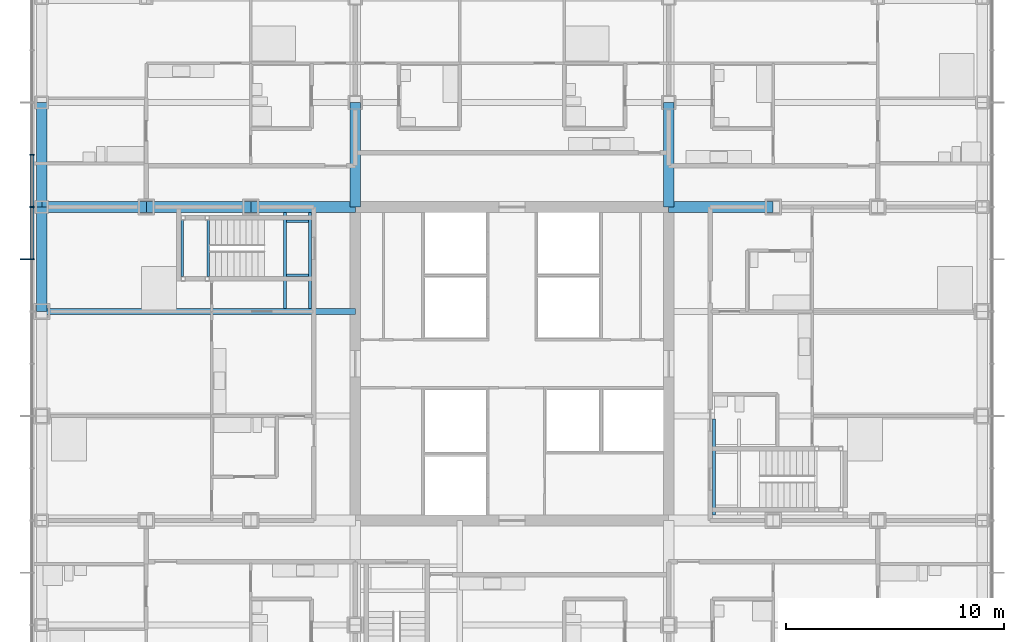
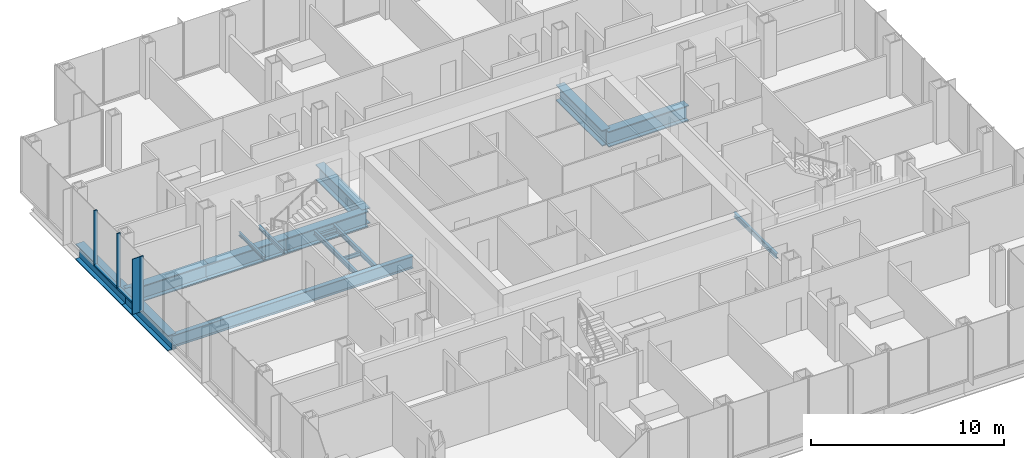
# One storey, part 8 of 21: 16 beams, 6 members, 1 element without a shape of its own.
"""IFC4 building model written with IfcOpenShell, lengths in metres."""

from ifc_helpers import new_model, si_unit, direction, frame, origin, origin_2d, place, context, subcontext, project, spatial, rectangle, i_section, extrude, material, material_profile, profile_set, type_object, element, aggregate, save


model = new_model("IFC4")

# Units and contexts
model_context = context("Model", 3, precision=1e-05, world=origin(), true_north=direction((0.0, 1.0)))
body_context = subcontext(model_context, "Body", "Model", "MODEL_VIEW")
ifc_project = project(units=[si_unit("LENGTHUNIT", "METRE"), si_unit("AREAUNIT", "SQUARE_METRE"), si_unit("VOLUMEUNIT", "CUBIC_METRE"), si_unit("PLANEANGLEUNIT", "RADIAN"), si_unit("MASSUNIT", "GRAM", prefix="KILO")], contexts=[model_context])

# Site, building, storey
site_placement = place(None, origin())
site = spatial("IfcSite", under=ifc_project, at=site_placement, CompositionType="ELEMENT")
building_placement = place(site_placement, origin())
building = spatial("IfcBuilding", under=site, at=building_placement, Name="Kvirike Care Tower", CompositionType="ELEMENT")
storey_placement = place(building_placement, frame((0.0, 0.0, 62.0)))
storey = spatial("IfcBuildingStorey", under=building, at=storey_placement, Name="L16", CompositionType="ELEMENT", Elevation=62.0)

# Curtain wall, members
ifc_material_1 = material(Name="Anodised aluminium stick system", Category="aluminium")
curtain_wall_type = type_object("IfcCurtainWallType", Name="CW-A STICK CURTAIN WALL", PredefinedType="NOTDEFINED", material=ifc_material_1)
curtain_wall_placement = place(storey_placement, origin())
curtain_wall = element("IfcCurtainWall", 1, at=curtain_wall_placement, inside=storey, type_object=curtain_wall_type, Name="Curtain wall L16 face 1", PredefinedType="NOTDEFINED")
ifc_material_2 = material(Name="Bronze anodised aluminium fin", Category="aluminium")
ifc_material_profile_1 = material_profile(ifc_material_2, rectangle(XDim=0.050048828125, YDim=0.449951171875, at=origin_2d()), Name="BRONZE FIN 450")
ifc_profile_set_1 = profile_set([ifc_material_profile_1], Name="Bronze anodised aluminium fin")
member_type_1 = type_object("IfcMemberType", Name="BRONZE FIN 450", PredefinedType="USERDEFINED", material=ifc_profile_set_1)
member_1_placement = place(storey_placement, frame((-0.77490234375, 40.800048828125, 0.0), z_axis=(0.0, 0.0, 1.0), x_axis=(0.0, -1.0, 0.0)))
member_1 = element("IfcMember", 2, at=member_1_placement, type_object=member_type_1, Name="Bronze fin L16 face 1.6", ObjectType="FIN", PredefinedType="USERDEFINED", context=body_context, shape_type="SweptSolid", body=[
    extrude(rectangle(XDim=0.050048828125, YDim=0.449951171875, at=origin_2d()), origin(), (0.0, 0.0, 1.0), 3.5),
])
ifc_material_3 = material(Name="Bronze anodised aluminium mullion", Category="aluminium")
ifc_material_profile_2 = material_profile(ifc_material_3, rectangle(XDim=0.06494140625, YDim=0.199951171875, at=origin_2d()), Name="CW-A MULLION 65x200")
ifc_profile_set_2 = profile_set([ifc_material_profile_2], Name="Bronze anodised aluminium mullion")
member_type_2 = type_object("IfcMemberType", Name="CW-A MULLION 65x200", PredefinedType="MULLION", material=ifc_profile_set_2)
member_2_placement = place(storey_placement, frame((-0.449951171875, 45.60009765625, 0.0), z_axis=(0.0, 0.0, 1.0), x_axis=(0.0, -1.0, 0.0)))
member_2 = element("IfcMember", 3, at=member_2_placement, type_object=member_type_2, Name="CW-A mullion L16 face 1.4", PredefinedType="MULLION", context=body_context, shape_type="SweptSolid", body=[
    extrude(rectangle(XDim=0.06494140625, YDim=0.199951171875, at=origin_2d()), origin(), (0.0, 0.0, 1.0), 3.5),
])
member_3_placement = place(storey_placement, frame((-0.449951171875, 43.199951171875, 0.0), z_axis=(0.0, 0.0, 1.0), x_axis=(0.0, -1.0, 0.0)))
member_3 = element("IfcMember", 4, at=member_3_placement, type_object=member_type_2, Name="CW-A mullion L16 face 1.5", PredefinedType="MULLION", context=body_context, shape_type="SweptSolid", body=[
    extrude(rectangle(XDim=0.06494140625, YDim=0.199951171875, at=origin_2d()), origin(), (0.0, 0.0, 1.0), 3.5),
])
member_4_placement = place(storey_placement, frame((-0.449951171875, 40.800048828125, 0.0), z_axis=(0.0, 0.0, 1.0), x_axis=(0.0, -1.0, 0.0)))
member_4 = element("IfcMember", 5, at=member_4_placement, type_object=member_type_2, Name="CW-A mullion L16 face 1.6", PredefinedType="MULLION", context=body_context, shape_type="SweptSolid", body=[
    extrude(rectangle(XDim=0.06494140625, YDim=0.199951171875, at=origin_2d()), origin(), (0.0, 0.0, 1.0), 3.5),
])
ifc_material_4 = material(Name="Bronze anodised aluminium transom", Category="aluminium")
ifc_material_profile_3 = material_profile(ifc_material_4, rectangle(XDim=0.199951171875, YDim=0.10009765625, at=origin_2d()), Name="CW-A TRANSOM 200x100")
ifc_profile_set_3 = profile_set([ifc_material_profile_3], Name="Bronze anodised aluminium transom")
member_type_3 = type_object("IfcMemberType", Name="CW-A TRANSOM 200x100", PredefinedType="USERDEFINED", material=ifc_profile_set_3)
member_5_placement = place(storey_placement, frame((-0.449951171875, 45.5673828125, 0.050048828125), z_axis=(0.0, -1.0, 0.0), x_axis=(1.0, 0.0, 0.0)))
member_5 = element("IfcMember", 6, at=member_5_placement, type_object=member_type_3, Name="CW-A sill transom L16 face 1.4", ObjectType="TRANSOM", PredefinedType="USERDEFINED", context=body_context, shape_type="SweptSolid", body=[
    extrude(rectangle(XDim=0.199951171875, YDim=0.10009765625, at=origin_2d()), origin(), (0.0, 0.0, 1.0), 2.3349609375),
])
member_6_placement = place(storey_placement, frame((-0.449951171875, 43.16748046875, 0.050048828125), z_axis=(0.0, -1.0, 0.0), x_axis=(1.0, 0.0, 0.0)))
member_6 = element("IfcMember", 7, at=member_6_placement, type_object=member_type_3, Name="CW-A sill transom L16 face 1.5", ObjectType="TRANSOM", PredefinedType="USERDEFINED", context=body_context, shape_type="SweptSolid", body=[
    extrude(rectangle(XDim=0.199951171875, YDim=0.10009765625, at=origin_2d()), origin(), (0.0, 0.0, 1.0), 2.3349609375),
])
aggregate(curtain_wall, [member_2, member_3, member_4, member_1, member_5, member_6])

# Beams
ifc_material_5 = material(Name="Steel S355", Category="steel")
ifc_material_profile_4 = material_profile(ifc_material_5, i_section(OverallWidth=0.26806640625, OverallDepth=0.77001953125, WebThickness=0.015625, FlangeThickness=0.025390625, FilletRadius=0.01708984375, at=origin_2d()), Name="IPE 750x196")
ifc_profile_set_4 = profile_set([ifc_material_profile_4], Name="Steel S355")
beam_type_1 = type_object("IfcBeamType", Name="FLOOR BEAM IPE 750x196", PredefinedType="BEAM", material=ifc_profile_set_4)
beam_1_placement = place(storey_placement, frame((0.0, 38.39990234375, -0.554931640625), z_axis=(1.0, 0.0, 0.0), x_axis=(0.0, 1.0, 0.0)))
element("IfcBeam", 8, at=beam_1_placement, inside=storey, type_object=beam_type_1, Name="Floor Beam J3-J6 L16", PredefinedType="BEAM", context=body_context, shape_type="SweptSolid", body=[
    extrude(i_section(OverallWidth=0.26806640625, OverallDepth=0.77001953125, WebThickness=0.015625, FlangeThickness=0.025390625, FilletRadius=0.01708984375, at=origin_2d()), origin(), (0.0, 0.0, 1.0), 14.39990234375),
])
ifc_material_6 = material(Name="Steel S355", Category="steel")
ifc_material_profile_5 = material_profile(ifc_material_6, i_section(OverallWidth=0.5, OverallDepth=1.0, WebThickness=0.030029296875, FlangeThickness=0.06005859375, at=origin_2d()), Name="PG 1000x500x30x60")
ifc_profile_set_5 = profile_set([ifc_material_profile_5], Name="Steel S355")
beam_type_2 = type_object("IfcBeamType", Name="FRAME BEAM PG 1000x500x30x60", PredefinedType="BEAM", material=ifc_profile_set_5)
for number, where, z_axis, x_axis, name in (
    (9, (0.0, 43.199951171875, -0.669921875), (1.0, 0.0, 0.0), (0.0, 1.0, 0.0), "Frame Beam K3-K4 L16"),
    (10, (4.800048828125, 43.199951171875, -0.669921875), (1.0, 0.0, 0.0), (0.0, 1.0, 0.0), "Frame Beam K4-K5 L16"),
):
    element("IfcBeam", number, at=place(storey_placement, frame(where, z_axis=z_axis, x_axis=x_axis)), inside=storey, type_object=beam_type_2, Name=name, PredefinedType="BEAM", context=body_context, shape_type="SweptSolid", body=[
        extrude(i_section(OverallWidth=0.5, OverallDepth=1.0, WebThickness=0.030029296875, FlangeThickness=0.06005859375, at=origin_2d()), origin(), (0.0, 0.0, 1.0), 4.800048828125),
    ])
beam_2_placement = place(storey_placement, frame((9.60009765625, 43.199951171875, -0.669921875), z_axis=(1.0, 0.0, 0.0), x_axis=(0.0, 1.0, 0.0)))
element("IfcBeam", 11, at=beam_2_placement, inside=storey, type_object=beam_type_2, Name="Frame Beam K5-K6 L16", PredefinedType="BEAM", context=body_context, shape_type="SweptSolid", body=[
    extrude(i_section(OverallWidth=0.5, OverallDepth=1.0, WebThickness=0.030029296875, FlangeThickness=0.06005859375, at=origin_2d()), origin(), (0.0, 0.0, 1.0), 4.7998046875),
])
for number, where, z_axis, x_axis, name in (
    (12, (28.800048828125, 43.199951171875, -0.669921875), (1.0, 0.0, 0.0), (0.0, 1.0, 0.0), "Frame Beam K9-K10 L16"),
    (13, (14.39990234375, 43.199951171875, -0.669921875), (0.0, 1.0, 0.0), (-1.0, 0.0, 0.0), "Frame Beam K6-L6 L16"),
    (14, (28.800048828125, 43.199951171875, -0.669921875), (0.0, 1.0, 0.0), (-1.0, 0.0, 0.0), "Frame Beam K9-L9 L16"),
):
    element("IfcBeam", number, at=place(storey_placement, frame(where, z_axis=z_axis, x_axis=x_axis)), inside=storey, type_object=beam_type_2, Name=name, PredefinedType="BEAM", context=body_context, shape_type="SweptSolid", body=[
        extrude(i_section(OverallWidth=0.5, OverallDepth=1.0, WebThickness=0.030029296875, FlangeThickness=0.06005859375, at=origin_2d()), origin(), (0.0, 0.0, 1.0), 4.800048828125),
    ])
ifc_material_7 = material(Name="Steel S355", Category="steel")
ifc_material_profile_6 = material_profile(ifc_material_7, i_section(OverallWidth=0.5, OverallDepth=1.0, WebThickness=0.030029296875, FlangeThickness=0.06005859375, at=origin_2d()), Name="PG 1000x500x30x60")
ifc_profile_set_6 = profile_set([ifc_material_profile_6], Name="Steel S355")
beam_type_3 = type_object("IfcBeamType", Name="SPANDREL PG 1000x500x30x60", PredefinedType="SPANDREL", material=ifc_profile_set_6)
for number, where, z_axis, x_axis, name in (
    (15, (0.0, 38.39990234375, -0.669921875), (0.0, 1.0, 0.0), (-1.0, 0.0, 0.0), "Spandrel J3-K3 L16"),
    (16, (0.0, 43.199951171875, -0.669921875), (0.0, 1.0, 0.0), (-1.0, 0.0, 0.0), "Spandrel K3-L3 L16"),
):
    element("IfcBeam", number, at=place(storey_placement, frame(where, z_axis=z_axis, x_axis=x_axis)), inside=storey, type_object=beam_type_3, Name=name, PredefinedType="SPANDREL", context=body_context, shape_type="SweptSolid", body=[
        extrude(i_section(OverallWidth=0.5, OverallDepth=1.0, WebThickness=0.030029296875, FlangeThickness=0.06005859375, at=origin_2d()), origin(), (0.0, 0.0, 1.0), 4.800048828125),
    ])
ifc_material_8 = material(Name="Steel S355", Category="steel")
ifc_material_profile_7 = material_profile(ifc_material_8, i_section(OverallWidth=0.1201171875, OverallDepth=0.239990234375, WebThickness=0.006103515625, FlangeThickness=0.009765625, FilletRadius=0.014892578125, at=origin_2d()), Name="IPE 240")
ifc_profile_set_7 = profile_set([ifc_material_profile_7], Name="Steel S355")
beam_type_4 = type_object("IfcBeamType", Name="STAIR LANDING BEAM IPE 240", PredefinedType="BEAM", material=ifc_profile_set_7)
for number, where, z_axis, x_axis, name in (
    (17, (6.4599609375, 42.60009765625, 1.429931640625), (0.0, -1.0, 0.0), (1.0, 0.0, 0.0), "Stair 1 landing beam back L16"),
    (18, (7.639892578125, 42.60009765625, 1.429931640625), (0.0, -1.0, 0.0), (1.0, 0.0, 0.0), "Stair 1 landing beam front L16"),
):
    element("IfcBeam", number, at=place(storey_placement, frame(where, z_axis=z_axis, x_axis=x_axis)), inside=storey, type_object=beam_type_4, Name=name, PredefinedType="BEAM", context=body_context, shape_type="SweptSolid", body=[
        extrude(i_section(OverallWidth=0.1201171875, OverallDepth=0.239990234375, WebThickness=0.006103515625, FlangeThickness=0.009765625, FilletRadius=0.014892578125, at=origin_2d()), origin(), (0.0, 0.0, 1.0), 2.60009765625),
    ])
for number, where, z_axis, x_axis, name in (
    (19, (11.25, 42.5400390625, -0.320068359375), (1.0, 0.0, 0.0), (0.0, 1.0, 0.0), "Stair 1 landing edge beam 1 L16"),
    (20, (11.25, 40.06005859375, -0.320068359375), (1.0, 0.0, 0.0), (0.0, 1.0, 0.0), "Stair 1 landing edge beam 2 L16"),
):
    element("IfcBeam", number, at=place(storey_placement, frame(where, z_axis=z_axis, x_axis=x_axis)), inside=storey, type_object=beam_type_4, Name=name, PredefinedType="BEAM", context=body_context, shape_type="SweptSolid", body=[
        extrude(i_section(OverallWidth=0.1201171875, OverallDepth=0.239990234375, WebThickness=0.006103515625, FlangeThickness=0.009765625, FilletRadius=0.014892578125, at=origin_2d()), origin(), (0.0, 0.0, 1.0), 1.0),
    ])
ifc_material_9 = material(Name="Steel S355", Category="steel")
ifc_material_profile_8 = material_profile(ifc_material_9, i_section(OverallWidth=0.14990234375, OverallDepth=0.300048828125, WebThickness=0.007080078125, FlangeThickness=0.0107421875, FilletRadius=0.014892578125, at=origin_2d()), Name="IPE 300")
ifc_profile_set_8 = profile_set([ifc_material_profile_8], Name="Steel S355")
beam_type_5 = type_object("IfcBeamType", Name="STAIR TRIMMER IPE 300", PredefinedType="BEAM", material=ifc_profile_set_8)
for number, where, z_axis, x_axis, name in (
    (21, (11.175048828125, 42.949951171875, -0.35009765625), (0.0, -1.0, 0.0), (1.0, 0.0, 0.0), "Stair 1 trimmer 1 L16"),
    (22, (12.324951171875, 42.949951171875, -0.35009765625), (0.0, -1.0, 0.0), (1.0, 0.0, 0.0), "Stair 1 trimmer 2 L16"),
    (23, (30.875, 29.050048828125, -0.35009765625), (0.0, 1.0, 0.0), (-1.0, 0.0, 0.0), "Stair 2 trimmer 2 L16"),
):
    element("IfcBeam", number, at=place(storey_placement, frame(where, z_axis=z_axis, x_axis=x_axis)), inside=storey, type_object=beam_type_5, Name=name, PredefinedType="BEAM", context=body_context, shape_type="SweptSolid", body=[
        extrude(i_section(OverallWidth=0.14990234375, OverallDepth=0.300048828125, WebThickness=0.007080078125, FlangeThickness=0.0107421875, FilletRadius=0.014892578125, at=origin_2d()), origin(), (0.0, 0.0, 1.0), 4.416015625),
    ])

save(model, "model.ifc")
